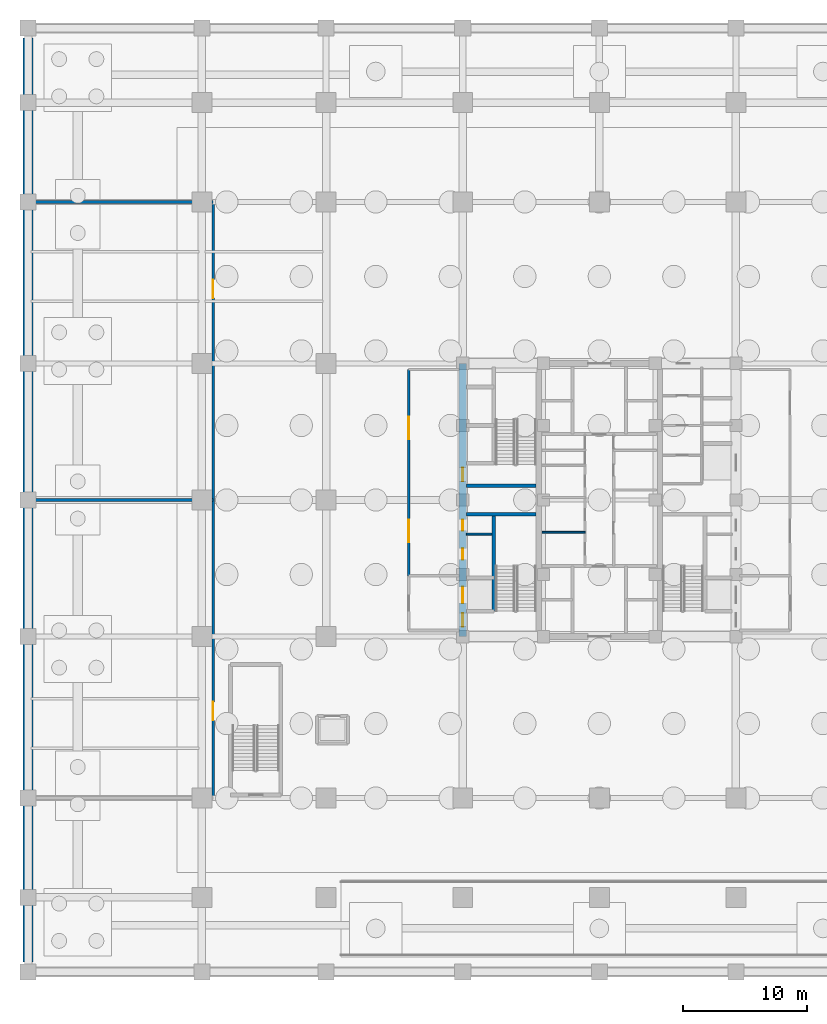
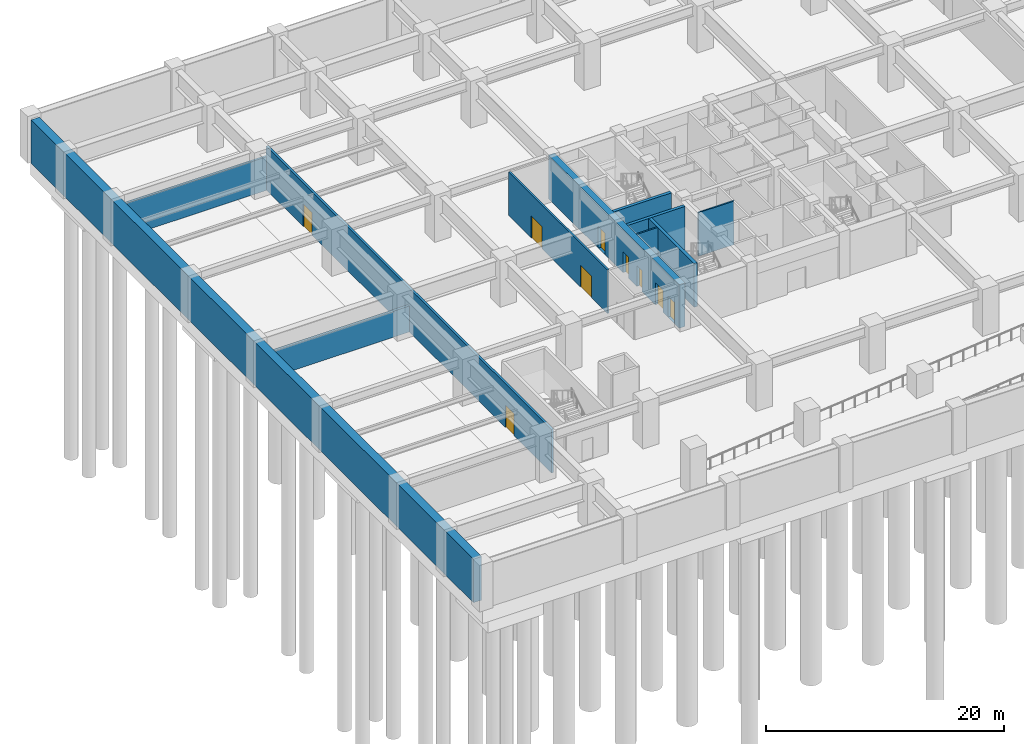
# One storey, part 5 of 13: 11 walls, 9 doors, 9 openings.
"""IFC4 building model written with IfcOpenShell, lengths in metres."""

import ifcopenshell
import ifcopenshell.guid

model = None  # the IFC model being written
_history = None  # IfcOwnerHistory: only IFC2X3 demands one
_inside = {}  # id of a spatial element -> (the spatial element, [elements in it])
_under = {}  # id of a project, library or spatial element -> (it, [spatial elements below it])
_declared = {}  # id of a project -> (the project, [libraries it declares])
_typed = {}  # id of a type object -> (the type object, [elements of that type])
_made_of = {}  # id of a material, layer set ... -> (it, [elements and type objects made of it])


def new_model(schema):
    """Start an empty IFC model of exactly this schema.

    Asked for "IFC4X3", IfcOpenShell would pick the latest addendum, in which some entities
    have other attributes; the version numbers below select the first issue.
    IFC2X3 requires an IfcOwnerHistory on every rooted entity: one is made here for all.
    """
    global model, _history
    if schema == "IFC4X3":
        model = ifcopenshell.file(schema_version=(4, 3, 0, 0))
    else:
        model = ifcopenshell.file(schema=schema)
    _inside.clear()
    _under.clear()
    _declared.clear()
    _typed.clear()
    _made_of.clear()
    _history = None
    if model.schema == "IFC2X3":
        org = make("IfcOrganization", Name="unknown")
        user = make(
            "IfcPersonAndOrganization",
            ThePerson=make("IfcPerson", FamilyName="unknown"),
            TheOrganization=org,
        )
        app = make(
            "IfcApplication",
            ApplicationDeveloper=org,
            Version="unknown",
            ApplicationFullName="unknown",
            ApplicationIdentifier="unknown",
        )
        _history = make(
            "IfcOwnerHistory",
            OwningUser=user,
            OwningApplication=app,
            ChangeAction="ADDED",
            CreationDate=0,
        )
    return model


def make(cls, **values):
    """One entity of the class cls with the attributes given. An attribute that is None is left unset."""
    return model.create_entity(
        cls, **{name: value for name, value in values.items() if value is not None}
    )


def rooted(cls, **values):
    """An entity with a GlobalId (a new one), such as an element, a storey or a relation."""
    return make(cls, GlobalId=ifcopenshell.guid.new(), OwnerHistory=_history, **values)


def si_unit(unit_type, name, prefix=None):
    """IfcSIUnit, for example si_unit("LENGTHUNIT", "METRE", prefix="MILLI")."""
    return make("IfcSIUnit", UnitType=unit_type, Prefix=prefix, Name=name)


def assignment(units):
    """IfcUnitAssignment: the units of a project."""
    return None if units is None else make("IfcUnitAssignment", Units=units)


def point(xyz):
    """IfcCartesianPoint."""
    return None if xyz is None else make("IfcCartesianPoint", Coordinates=xyz)


def direction(xyz):
    """IfcDirection."""
    return None if xyz is None else make("IfcDirection", DirectionRatios=xyz)


def frame(location, z_axis=None, x_axis=None):
    """IfcAxis2Placement3D, a coordinate frame: its origin and axes. An axis left out is left unset."""
    return make(
        "IfcAxis2Placement3D",
        Location=point(location),
        Axis=direction(z_axis),
        RefDirection=direction(x_axis),
    )


def frame_2d(location, x_axis=None):
    """IfcAxis2Placement2D, a coordinate frame in the plane: its origin and x axis."""
    return make(
        "IfcAxis2Placement2D", Location=point(location), RefDirection=direction(x_axis)
    )


def origin():
    """The frame at (0, 0, 0) with its axes left unset."""
    return frame((0.0, 0.0, 0.0))


def place(relative_to, where):
    """IfcLocalPlacement: puts the frame where relative to a parent placement (None: the world)."""
    return make(
        "IfcLocalPlacement", PlacementRelTo=relative_to, RelativePlacement=where
    )


def context(
    kind, dimensions, precision=None, world=None, true_north=None, identifier=None
):
    """IfcGeometricRepresentationContext, for example the 3D "Model" context."""
    return make(
        "IfcGeometricRepresentationContext",
        ContextIdentifier=identifier,
        ContextType=kind,
        CoordinateSpaceDimension=dimensions,
        Precision=precision,
        WorldCoordinateSystem=world,
        TrueNorth=true_north,
    )


def subcontext(parent, identifier, kind, view, scale=None):
    """IfcGeometricRepresentationSubContext, for example "Body" below "Model"."""
    return make(
        "IfcGeometricRepresentationSubContext",
        ContextIdentifier=identifier,
        ContextType=kind,
        ParentContext=parent,
        TargetScale=scale,
        TargetView=view,
    )


def project(units=None, contexts=None):
    """IfcProject with its units and contexts."""
    return rooted(
        "IfcProject",
        Name="project",
        RepresentationContexts=contexts,
        UnitsInContext=assignment(units),
    )


def spatial(cls, under=None, at=None, **own):
    """A site, building, storey or space (cls), placed at a placement, below another one or the project."""
    s = rooted(cls, ObjectPlacement=at, **own)
    if under is not None:
        _under.setdefault(under.id(), (under, []))[1].append(s)
    return s


def profile(cls, at=None, kind="AREA", **sizes):
    """A parametric profile (cls). Its sizes go by their IFC names, for example OverallWidth=200.0."""
    return make(cls, ProfileType=kind, Position=at, **sizes)


def rectangle(**sizes):
    """IfcRectangleProfileDef."""
    return profile("IfcRectangleProfileDef", **sizes)


def extrude(swept, where, along, depth):
    """IfcExtrudedAreaSolid: the profile swept, set in the frame where, extruded along a direction by depth."""
    return make(
        "IfcExtrudedAreaSolid",
        SweptArea=swept,
        Position=where,
        ExtrudedDirection=direction(along),
        Depth=depth,
    )


def shape(context_of_items, identifier, shape_type, items):
    """IfcShapeRepresentation: the items that make up one representation, for example the "Body"."""
    return make(
        "IfcShapeRepresentation",
        ContextOfItems=context_of_items,
        RepresentationIdentifier=identifier,
        RepresentationType=shape_type,
        Items=items,
    )


def source(mapping_origin, context_of_items, identifier, shape_type, items):
    """IfcRepresentationMap: a shape defined once, which mapped items show again and again."""
    return make(
        "IfcRepresentationMap",
        MappingOrigin=mapping_origin,
        MappedRepresentation=shape(context_of_items, identifier, shape_type, items),
    )


def transform(
    local_origin,
    x_axis=None,
    y_axis=None,
    z_axis=None,
    scale=None,
    scale2=None,
    scale3=None,
    uniform=True,
):
    """IfcCartesianTransformationOperator3D, or its non-uniform kind. x_axis, y_axis, z_axis: its Axis1, 2, 3."""
    if uniform:
        return make(
            "IfcCartesianTransformationOperator3D",
            Axis1=direction(x_axis),
            Axis2=direction(y_axis),
            LocalOrigin=point(local_origin),
            Scale=scale,
            Axis3=direction(z_axis),
        )
    return make(
        "IfcCartesianTransformationOperator3DnonUniform",
        Axis1=direction(x_axis),
        Axis2=direction(y_axis),
        LocalOrigin=point(local_origin),
        Scale=scale,
        Axis3=direction(z_axis),
        Scale2=scale2,
        Scale3=scale3,
    )


def mapped(mapping_source, mapping_target):
    """IfcMappedItem: shows the shape of a source again, moved by a transform."""
    return make(
        "IfcMappedItem", MappingSource=mapping_source, MappingTarget=mapping_target
    )


def material(Name=None, Category=None):
    """IfcMaterial."""
    return make("IfcMaterial", Name=Name, Category=Category)


def layer(
    of_material, thickness, ventilated=None, Name=None, Category=None, Priority=None
):
    """IfcMaterialLayer: one layer of a wall or slab, of a material (None: an air gap)."""
    return make(
        "IfcMaterialLayer",
        Material=of_material,
        LayerThickness=thickness,
        IsVentilated=ventilated,
        Name=Name,
        Category=Category,
        Priority=Priority,
    )


def layer_set(layers, Name=None):
    """IfcMaterialLayerSet."""
    return make("IfcMaterialLayerSet", MaterialLayers=layers, LayerSetName=Name)


def made_of(thing, what):
    """Note that an element or type object is made of a material, layer set ...; save() writes the relation."""
    if what is not None:
        _made_of.setdefault(what.id(), (what, []))[1].append(thing)
    return thing


def type_object(cls, material=None, **own):
    """A type object (cls), such as IfcWallType, which elements share."""
    return made_of(rooted(cls, **own), material)


def element(
    cls,
    number,
    at=None,
    inside=None,
    cuts=None,
    type_object=None,
    material=None,
    context=None,
    identifier="Body",
    shape_type=None,
    held_by="IfcProductDefinitionShape",
    body=None,
    shapes=None,
    **own,
):
    """One element of the class cls, such as IfcWall. Its Tag is "e" and its number.

    at: its placement. inside: the storey or other place that contains it. cuts: it is an
    opening in that element (IfcRelVoidsElement). A single representation is given by context,
    identifier, shape_type and body (its items); several are given by shapes. held_by: the class
    of the entity that holds the representations. save() writes the other relations.
    """
    e = rooted(cls, Tag="e%d" % number, ObjectPlacement=at, **own)
    if body is not None:
        shapes = [shape(context, identifier, shape_type, body)]
    if shapes is not None:
        e.Representation = make(held_by, Representations=shapes)
    if inside is not None:
        _inside.setdefault(inside.id(), (inside, []))[1].append(e)
    if cuts is not None:
        rooted(
            "IfcRelVoidsElement", RelatingBuildingElement=cuts, RelatedOpeningElement=e
        )
    if type_object is not None:
        _typed.setdefault(type_object.id(), (type_object, []))[1].append(e)
    return made_of(e, material)


def fill(opening, filler):
    """IfcRelFillsElement: the door or window that sits in an opening."""
    return rooted(
        "IfcRelFillsElement",
        RelatingOpeningElement=opening,
        RelatedBuildingElement=filler,
    )


def aggregate(whole, parts):
    """IfcRelAggregates: a whole, such as a stair, and the parts it consists of."""
    return rooted("IfcRelAggregates", RelatingObject=whole, RelatedObjects=parts)


def save(model, path):
    """Write the relations noted so far, then the file.

    IfcRelAggregates (storeys below a building ...), IfcRelContainedInSpatialStructure (elements
    in a storey), IfcRelDefinesByType, IfcRelAssociatesMaterial and IfcRelDeclares: one each for
    every whole, place, type object, material and project.
    """
    for whole, parts in _under.values():
        aggregate(whole, parts)
    for where, things in _inside.values():
        rooted(
            "IfcRelContainedInSpatialStructure",
            RelatedElements=things,
            RelatingStructure=where,
        )
    for kind, things in _typed.values():
        rooted("IfcRelDefinesByType", RelatedObjects=things, RelatingType=kind)
    for what, things in _made_of.values():
        rooted("IfcRelAssociatesMaterial", RelatedObjects=things, RelatingMaterial=what)
    for by, libraries in _declared.values():
        rooted("IfcRelDeclares", RelatingContext=by, RelatedDefinitions=libraries)
    model.write(path)


model = new_model("IFC4")

# Units and contexts
model_context = context("Model", 3, precision=1e-05, world=origin(), true_north=direction((0.0, 1.0)))
body_context = subcontext(model_context, "Body", "Model", "MODEL_VIEW")
ifc_project = project(units=[si_unit("LENGTHUNIT", "METRE"), si_unit("AREAUNIT", "SQUARE_METRE"), si_unit("VOLUMEUNIT", "CUBIC_METRE"), si_unit("PLANEANGLEUNIT", "RADIAN"), si_unit("MASSUNIT", "GRAM", prefix="KILO")], contexts=[model_context])

# Site, building, storey
site_placement = place(None, origin())
site = spatial("IfcSite", under=ifc_project, at=site_placement, CompositionType="ELEMENT")
building_placement = place(site_placement, origin())
building = spatial("IfcBuilding", under=site, at=building_placement, Name="Khorayat Bourse Tower", CompositionType="ELEMENT")
storey_placement = place(building_placement, frame((0.0, 0.0, -9.60009765625)))
storey = spatial("IfcBuildingStorey", under=building, at=storey_placement, Name="B02", CompositionType="ELEMENT", Elevation=-9.60009765625)

# Wall
ifc_material_1 = material(Name="Concrete C50/60", Category="concrete")
ifc_layer_1 = layer(ifc_material_1, 0.800048828125)
ifc_layer_set_1 = layer_set([ifc_layer_1], Name="Concrete C50/60")
wall_type_1 = type_object("IfcWallType", Name="WAL-RET-800", PredefinedType="USERDEFINED", material=ifc_layer_set_1)
shared_shape_1 = source(origin(), body_context, "Body", "SweptSolid", [
    extrude(rectangle(XDim=74.39990234375, YDim=0.800048828125, at=frame_2d((37.199951171875, 0.0))), origin(), (0.0, 0.0, 1.0), 4.47998046875),
])
wall_1_placement = place(storey_placement, frame((-46.0, -37.199951171875, 0.0), z_axis=(0.0, 0.0, 1.0), x_axis=(0.0, 1.0, 0.0)))
element("IfcWall", 1, at=wall_1_placement, inside=storey, type_object=wall_type_1, Name="B02 Perimeter Retaining Wall W", ObjectType="RETAINING WALL", PredefinedType="USERDEFINED", context=body_context, shape_type="MappedRepresentation", body=[
    mapped(shared_shape_1, transform((0.0, 0.0, 0.0), scale=1.0)),
])

# Wall, openings, doors
ifc_material_2 = material(Name="Concrete C60/75", Category="concrete")
ifc_layer_2 = layer(ifc_material_2, 0.60009765625)
ifc_layer_set_2 = layer_set([ifc_layer_2], Name="Concrete C60/75")
wall_type_2 = type_object("IfcWallType", Name="WAL-CORE-600", PredefinedType="SHEAR", material=ifc_layer_set_2)
shared_shape_2 = source(origin(), body_context, "Body", "SweptSolid", [
    extrude(rectangle(XDim=22.0, YDim=0.60009765625, at=frame_2d((11.0, 0.0))), origin(), (0.0, 0.0, 1.0), 4.47998046875),
])
wall_2_placement = place(storey_placement, frame((-11.0, -11.0, 0.0), z_axis=(0.0, 0.0, 1.0), x_axis=(0.0, 1.0, 0.0)))
wall_2 = element("IfcWall", 2, at=wall_2_placement, inside=storey, type_object=wall_type_2, Name="B02 Core Shear Wall CORE-W", PredefinedType="SHEAR", context=body_context, shape_type="MappedRepresentation", body=[
    mapped(shared_shape_2, transform((0.0, 0.0, 0.0), scale=1.0)),
])
shared_shape_3 = source(origin(), body_context, "Body", "SweptSolid", [
    extrude(rectangle(XDim=1.10009765625, YDim=2.199951171875, at=frame_2d((0.550048828125, 1.10009765625))), frame((0.0, 0.31005859375, 0.0), z_axis=(0.0, -1.0, 0.0), x_axis=(1.0, 0.0, 0.0)), (0.0, 0.0, 1.0), 0.6201171875),
])
opening_1_placement = place(wall_2_placement, frame((0.800048828125, 0.0, 0.0)))
opening_1 = element("IfcOpeningElement", 3, at=opening_1_placement, cuts=wall_2, Name="Opening DI-01", PredefinedType="OPENING", context=body_context, shape_type="MappedRepresentation", body=[
    mapped(shared_shape_3, transform((0.0, 0.0, 0.0), scale=1.0)),
])
opening_2_placement = place(wall_2_placement, frame((12.5, 0.0, 0.0)))
opening_2 = element("IfcOpeningElement", 4, at=opening_2_placement, cuts=wall_2, Name="Opening DI-01", PredefinedType="OPENING", context=body_context, shape_type="MappedRepresentation", body=[
    mapped(shared_shape_3, transform((0.0, 0.0, 0.0), scale=1.0)),
])
shared_shape_4 = source(origin(), body_context, "Body", "SweptSolid", [
    extrude(rectangle(XDim=0.89990234375, YDim=2.14990234375, at=frame_2d((0.449951171875, 1.074951171875))), frame((0.0, 0.31005859375, 0.0), z_axis=(0.0, -1.0, 0.0), x_axis=(1.0, 0.0, 0.0)), (0.0, 0.0, 1.0), 0.6201171875),
])
opening_3_placement = place(wall_2_placement, frame((6.199951171875, 0.0, 0.0)))
opening_3 = element("IfcOpeningElement", 5, at=opening_3_placement, cuts=wall_2, Name="Opening DI-06", PredefinedType="OPENING", context=body_context, shape_type="MappedRepresentation", body=[
    mapped(shared_shape_4, transform((0.0, 0.0, 0.0), scale=1.0)),
])
opening_4_placement = place(wall_2_placement, frame((8.52490234375, 0.0, 0.0)))
opening_4 = element("IfcOpeningElement", 6, at=opening_4_placement, cuts=wall_2, Name="Opening DI-06", PredefinedType="OPENING", context=body_context, shape_type="MappedRepresentation", body=[
    mapped(shared_shape_4, transform((0.0, 0.0, 0.0), scale=1.0)),
])
shared_shape_5 = source(origin(), body_context, "Body", "SweptSolid", [
    extrude(rectangle(XDim=1.300048828125, YDim=2.300048828125, at=frame_2d((0.64990234375, 1.14990234375))), frame((0.0, 0.31005859375, 0.0), z_axis=(0.0, -1.0, 0.0), x_axis=(1.0, 0.0, 0.0)), (0.0, 0.0, 1.0), 0.6201171875),
])
opening_5_placement = place(wall_2_placement, frame((2.699951171875, 0.0, 0.0)))
opening_5 = element("IfcOpeningElement", 7, at=opening_5_placement, cuts=wall_2, Name="Opening LD-02", PredefinedType="OPENING", context=body_context, shape_type="MappedRepresentation", body=[
    mapped(shared_shape_5, transform((0.0, 0.0, 0.0), scale=1.0)),
])
ifc_material_3 = material(Name="Fire-rated steel acoustic leaf", Category="steel")
door_type_1 = type_object("IfcDoorType", Name="DR-INT-STAIR-1100", OperationType="NOTDEFINED", PredefinedType="DOOR", material=ifc_material_3)
shared_shape_6 = source(origin(), body_context, "Body", "SweptSolid", [
    extrude(rectangle(XDim=1.10009765625, YDim=2.199951171875, at=frame_2d((0.550048828125, 1.10009765625))), frame((0.0, 0.02490234375, 0.0), z_axis=(0.0, -1.0, 0.0), x_axis=(1.0, 0.0, 0.0)), (0.0, 0.0, 1.0), 0.050048828125),
])
door_1_placement = place(opening_1_placement, origin())
door_1 = element("IfcDoor", 8, at=door_1_placement, inside=storey, type_object=door_type_1, Name="B02 Exit Stair 1 Door", OperationType="SINGLE_SWING_RIGHT", OverallHeight=2.199951171875, OverallWidth=1.10009765625, PredefinedType="DOOR", context=body_context, shape_type="MappedRepresentation", body=[
    mapped(shared_shape_6, transform((0.0, 0.0, 0.0), scale=1.0)),
])
fill(opening_1, door_1)
door_2_placement = place(opening_2_placement, origin())
door_2 = element("IfcDoor", 9, at=door_2_placement, inside=storey, type_object=door_type_1, Name="B02 Exit Stair 2 Door", OperationType="SINGLE_SWING_RIGHT", OverallHeight=2.199951171875, OverallWidth=1.10009765625, PredefinedType="DOOR", context=body_context, shape_type="MappedRepresentation", body=[
    mapped(shared_shape_6, transform((0.0, 0.0, 0.0), scale=1.0)),
])
fill(opening_2, door_2)
ifc_material_4 = material(Name="Moisture-resistant laminate washroom door")
door_type_2 = type_object("IfcDoorType", Name="DR-INT-WC-900", OperationType="NOTDEFINED", PredefinedType="DOOR", material=ifc_material_4)
shared_shape_7 = source(origin(), body_context, "Body", "SweptSolid", [
    extrude(rectangle(XDim=0.89990234375, YDim=2.14990234375, at=frame_2d((0.449951171875, 1.074951171875))), frame((0.0, 0.02490234375, 0.0), z_axis=(0.0, -1.0, 0.0), x_axis=(1.0, 0.0, 0.0)), (0.0, 0.0, 1.0), 0.050048828125),
])
door_3_placement = place(opening_3_placement, origin())
door_3 = element("IfcDoor", 10, at=door_3_placement, inside=storey, type_object=door_type_2, Name="B02 Switch Closet Door", OperationType="SINGLE_SWING_RIGHT", OverallHeight=2.14990234375, OverallWidth=0.89990234375, PredefinedType="DOOR", context=body_context, shape_type="MappedRepresentation", body=[
    mapped(shared_shape_7, transform((0.0, 0.0, 0.0), scale=1.0)),
])
fill(opening_3, door_3)
door_4_placement = place(opening_4_placement, origin())
door_4 = element("IfcDoor", 11, at=door_4_placement, inside=storey, type_object=door_type_2, Name="B02 Janitor Store Door", OperationType="SINGLE_SWING_LEFT", OverallHeight=2.14990234375, OverallWidth=0.89990234375, PredefinedType="DOOR", context=body_context, shape_type="MappedRepresentation", body=[
    mapped(shared_shape_7, transform((0.0, 0.0, 0.0), scale=1.0)),
])
fill(opening_4, door_4)
ifc_material_5 = material(Name="Fire-rated stainless-steel sliding landing door", Category="steel")
door_type_3 = type_object("IfcDoorType", Name="DR-LIFT-FF-1300", OperationType="NOTDEFINED", PredefinedType="DOOR", material=ifc_material_5)
shared_shape_8 = source(origin(), body_context, "Body", "SweptSolid", [
    extrude(rectangle(XDim=1.300048828125, YDim=2.300048828125, at=frame_2d((0.64990234375, 1.14990234375))), frame((0.0, 0.02490234375, 0.0), z_axis=(0.0, -1.0, 0.0), x_axis=(1.0, 0.0, 0.0)), (0.0, 0.0, 1.0), 0.050048828125),
])
door_5_placement = place(opening_5_placement, origin())
door_5 = element("IfcDoor", 12, at=door_5_placement, inside=storey, type_object=door_type_3, Name="B02 Lift FFL-01 Sliding Landing Door", OperationType="SLIDING_TO_LEFT", OverallHeight=2.300048828125, OverallWidth=1.300048828125, PredefinedType="DOOR", context=body_context, shape_type="MappedRepresentation", body=[
    mapped(shared_shape_8, transform((0.0, 0.0, 0.0), scale=1.0)),
])
fill(opening_5, door_5)

# Walls
ifc_layer_3 = layer(ifc_material_1, 0.300048828125)
ifc_layer_set_3 = layer_set([ifc_layer_3], Name="Concrete C50/60")
wall_type_3 = type_object("IfcWallType", Name="WAL-SHAFT-300", PredefinedType="SHEAR", material=ifc_layer_set_3)
shared_shape_9 = source(origin(), body_context, "Body", "SweptSolid", [
    extrude(rectangle(XDim=5.599853515625, YDim=0.300048828125, at=frame_2d((2.7998046875, 0.0))), origin(), (0.0, 0.0, 1.0), 4.47998046875),
])
for number, where, z_axis, x_axis, name in (
    (13, (-10.699951171875, -1.14990234375, 0.0), (0.0, 0.0, 1.0), (1.0, 0.0, 0.0), "B02 Core Shear Wall ST1-DIV"),
    (14, (-10.699951171875, 1.14990234375, 0.0), (0.0, 0.0, 1.0), (1.0, 0.0, 0.0), "B02 Core Shear Wall ST2-DIV"),
):
    element("IfcWall", number, at=place(storey_placement, frame(where, z_axis=z_axis, x_axis=x_axis)), inside=storey, type_object=wall_type_3, Name=name, PredefinedType="SHEAR", context=body_context, shape_type="MappedRepresentation", body=[
        mapped(shared_shape_9, transform((0.0, 0.0, 0.0), scale=1.0)),
    ])
shared_shape_10 = source(origin(), body_context, "Body", "SweptSolid", [
    extrude(rectangle(XDim=7.800048828125, YDim=0.300048828125, at=frame_2d((3.89990234375, 0.0))), origin(), (0.0, 0.0, 1.0), 4.47998046875),
])
wall_3_placement = place(storey_placement, frame((-8.5, -8.949951171875, 0.0), z_axis=(0.0, 0.0, 1.0), x_axis=(0.0, 1.0, 0.0)))
element("IfcWall", 15, at=wall_3_placement, inside=storey, type_object=wall_type_3, Name="B02 Partition WAL-B02-WPIER-SP", PredefinedType="SHEAR", context=body_context, shape_type="MappedRepresentation", body=[
    mapped(shared_shape_10, transform((0.0, 0.0, 0.0), scale=1.0)),
])
ifc_material_6 = material(Name="Gypsum plasterboard twin-frame partition")
ifc_layer_4 = layer(ifc_material_6, 0.14990234375)
ifc_layer_set_4 = layer_set([ifc_layer_4], Name="Gypsum plasterboard twin-frame partition")
wall_type_4 = type_object("IfcWallType", Name="WAL-PART-SUITE-150", PredefinedType="PARTITIONING", material=ifc_layer_set_4)
shared_shape_11 = source(origin(), body_context, "Body", "SweptSolid", [
    extrude(rectangle(XDim=2.050048828125, YDim=0.14990234375, at=frame_2d((1.02490234375, 0.0))), origin(), (0.0, 0.0, 1.0), 4.47998046875),
])
wall_4_placement = place(storey_placement, frame((-10.699951171875, -2.75, 0.0), z_axis=(0.0, 0.0, 1.0), x_axis=(1.0, 0.0, 0.0)))
element("IfcWall", 16, at=wall_4_placement, inside=storey, type_object=wall_type_4, Name="B02 Partition WAL-B02-WSRV-D1", PredefinedType="PARTITIONING", context=body_context, shape_type="MappedRepresentation", body=[
    mapped(shared_shape_11, transform((0.0, 0.0, 0.0), scale=1.0)),
])

# Wall, openings, doors
ifc_material_7 = material(Name="Gypsum plasterboard acoustic stud wall")
ifc_layer_5 = layer(ifc_material_7, 0.179931640625)
ifc_layer_set_5 = layer_set([ifc_layer_5], Name="Gypsum plasterboard acoustic stud wall")
wall_type_5 = type_object("IfcWallType", Name="WAL-PART-CORR-180", PredefinedType="PARTITIONING", material=ifc_layer_set_5)
shared_shape_12 = source(origin(), body_context, "Body", "SweptSolid", [
    extrude(rectangle(XDim=16.60009765625, YDim=0.179931640625, at=frame_2d((8.300048828125, 0.0))), origin(), (0.0, 0.0, 1.0), 4.47998046875),
])
wall_5_placement = place(storey_placement, frame((-15.35009765625, -6.10009765625, 0.0), z_axis=(0.0, 0.0, 1.0), x_axis=(0.0, 1.0, 0.0)))
wall_5 = element("IfcWall", 17, at=wall_5_placement, inside=storey, type_object=wall_type_5, Name="B02 Partition WAL-B02-WLOB-W", PredefinedType="PARTITIONING", context=body_context, shape_type="MappedRepresentation", body=[
    mapped(shared_shape_12, transform((0.0, 0.0, 0.0), scale=1.0)),
])
shared_shape_13 = source(origin(), body_context, "Body", "SweptSolid", [
    extrude(rectangle(XDim=1.800048828125, YDim=2.25, at=frame_2d((0.89990234375, 1.125))), frame((0.0, 0.099853515625, 0.0), z_axis=(0.0, -1.0, 0.0), x_axis=(1.0, 0.0, 0.0)), (0.0, 0.0, 1.0), 0.199951171875),
])
opening_6_placement = place(wall_5_placement, frame((2.699951171875, 0.0, 0.0)))
opening_6 = element("IfcOpeningElement", 18, at=opening_6_placement, cuts=wall_5, Name="Opening DI-03", PredefinedType="OPENING", context=body_context, shape_type="MappedRepresentation", body=[
    mapped(shared_shape_13, transform((0.0, 0.0, 0.0), scale=1.0)),
])
opening_7_placement = place(wall_5_placement, frame((11.0, 0.0, 0.0)))
opening_7 = element("IfcOpeningElement", 19, at=opening_7_placement, cuts=wall_5, Name="Opening DI-03", PredefinedType="OPENING", context=body_context, shape_type="MappedRepresentation", body=[
    mapped(shared_shape_13, transform((0.0, 0.0, 0.0), scale=1.0)),
])
ifc_material_8 = material(Name="Fire-rated hardwood vision-panel double leaf", Category="wood")
door_type_4 = type_object("IfcDoorType", Name="DR-INT-CORR-1800", OperationType="NOTDEFINED", PredefinedType="DOOR", material=ifc_material_8)
shared_shape_14 = source(origin(), body_context, "Body", "SweptSolid", [
    extrude(rectangle(XDim=1.800048828125, YDim=2.25, at=frame_2d((0.89990234375, 1.125))), frame((0.0, 0.02490234375, 0.0), z_axis=(0.0, -1.0, 0.0), x_axis=(1.0, 0.0, 0.0)), (0.0, 0.0, 1.0), 0.050048828125),
])
door_6_placement = place(opening_6_placement, origin())
door_6 = element("IfcDoor", 20, at=door_6_placement, inside=storey, type_object=door_type_4, Name="B02 West Core Lobby South Door", OperationType="SINGLE_SWING_LEFT", OverallHeight=2.25, OverallWidth=1.800048828125, PredefinedType="DOOR", context=body_context, shape_type="MappedRepresentation", body=[
    mapped(shared_shape_14, transform((0.0, 0.0, 0.0), scale=1.0)),
])
fill(opening_6, door_6)
door_7_placement = place(opening_7_placement, origin())
door_7 = element("IfcDoor", 21, at=door_7_placement, inside=storey, type_object=door_type_4, Name="B02 West Core Lobby North Door", OperationType="SINGLE_SWING_RIGHT", OverallHeight=2.25, OverallWidth=1.800048828125, PredefinedType="DOOR", context=body_context, shape_type="MappedRepresentation", body=[
    mapped(shared_shape_14, transform((0.0, 0.0, 0.0), scale=1.0)),
])
fill(opening_7, door_7)

# Walls
ifc_material_9 = material(Name="Moisture-resistant masonry partition", Category="masonry")
ifc_layer_6 = layer(ifc_material_9, 0.139892578125)
ifc_layer_set_6 = layer_set([ifc_layer_6], Name="Moisture-resistant masonry partition")
wall_type_6 = type_object("IfcWallType", Name="WAL-PART-WET-140", PredefinedType="PARTITIONING", material=ifc_layer_set_6)
shared_shape_15 = source(origin(), body_context, "Body", "SweptSolid", [
    extrude(rectangle(XDim=3.4501953125, YDim=0.139892578125, at=frame_2d((1.72509765625, 0.0))), origin(), (0.0, 0.0, 1.0), 4.47998046875),
])
wall_6_placement = place(storey_placement, frame((-4.60009765625, -2.60009765625, 0.0), z_axis=(0.0, 0.0, 1.0), x_axis=(1.0, 0.0, 0.0)))
element("IfcWall", 22, at=wall_6_placement, inside=storey, type_object=wall_type_6, Name="B02 Partition WAL-B02-CMW-D1", PredefinedType="PARTITIONING", context=body_context, shape_type="MappedRepresentation", body=[
    mapped(shared_shape_15, transform((0.0, 0.0, 0.0), scale=1.0)),
])
ifc_material_10 = material(Name="Aerated concrete blockwork", Category="masonry")
ifc_layer_7 = layer(ifc_material_10, 0.219970703125)
ifc_layer_set_7 = layer_set([ifc_layer_7], Name="Aerated concrete blockwork")
wall_type_7 = type_object("IfcWallType", Name="WAL-PART-FF-220", PredefinedType="PARTITIONING", material=ifc_layer_set_7)
shared_shape_16 = source(origin(), body_context, "Body", "SweptSolid", [
    extrude(rectangle(XDim=14.699951171875, YDim=0.219970703125, at=frame_2d((7.35009765625, 0.0))), origin(), (0.0, 0.0, 1.0), 2.68017578125),
])
wall_7_placement = place(storey_placement, frame((-45.800048828125, 0.0, 0.0), z_axis=(0.0, 0.0, 1.0), x_axis=(1.0, 0.0, 0.0)))
element("IfcWall", 23, at=wall_7_placement, inside=storey, type_object=wall_type_7, Name="B02 Partition WAL-B02-BW-DIV-1", PredefinedType="PARTITIONING", context=body_context, shape_type="MappedRepresentation", body=[
    mapped(shared_shape_16, transform((0.0, 0.0, 0.0), scale=1.0)),
])

# Wall, openings, doors
shared_shape_17 = source(origin(), body_context, "Body", "SweptSolid", [
    extrude(rectangle(XDim=48.0, YDim=0.219970703125, at=frame_2d((24.0, 0.0))), origin(), (0.0, 0.0, 1.0), 4.47998046875),
])
wall_8_placement = place(storey_placement, frame((-31.10009765625, -24.0, 0.0), z_axis=(0.0, 0.0, 1.0), x_axis=(0.0, 1.0, 0.0)))
wall_8 = element("IfcWall", 24, at=wall_8_placement, inside=storey, type_object=wall_type_7, Name="B02 Partition WAL-B02-BW-E", PredefinedType="PARTITIONING", context=body_context, shape_type="MappedRepresentation", body=[
    mapped(shared_shape_17, transform((0.0, 0.0, 0.0), scale=1.0)),
])
shared_shape_18 = source(origin(), body_context, "Body", "SweptSolid", [
    extrude(rectangle(XDim=1.5, YDim=2.300048828125, at=frame_2d((0.75, 1.14990234375))), frame((0.0, 0.119873046875, 0.0), z_axis=(0.0, -1.0, 0.0), x_axis=(1.0, 0.0, 0.0)), (0.0, 0.0, 1.0), 0.239990234375),
])
opening_8_placement = place(wall_8_placement, frame((6.25, 0.0, 0.0)))
opening_8 = element("IfcOpeningElement", 25, at=opening_8_placement, cuts=wall_8, Name="Opening DI-07", PredefinedType="OPENING", context=body_context, shape_type="MappedRepresentation", body=[
    mapped(shared_shape_18, transform((0.0, 0.0, 0.0), scale=1.0)),
])
opening_9_placement = place(wall_8_placement, frame((40.25, 0.0, 0.0)))
opening_9 = element("IfcOpeningElement", 26, at=opening_9_placement, cuts=wall_8, Name="Opening DI-07", PredefinedType="OPENING", context=body_context, shape_type="MappedRepresentation", body=[
    mapped(shared_shape_18, transform((0.0, 0.0, 0.0), scale=1.0)),
])
ifc_material_11 = material(Name="Louvred fire-rated steel plant double door", Category="steel")
door_type_5 = type_object("IfcDoorType", Name="DR-INT-PLANT-1500", OperationType="NOTDEFINED", PredefinedType="DOOR", material=ifc_material_11)
shared_shape_19 = source(origin(), body_context, "Body", "SweptSolid", [
    extrude(rectangle(XDim=1.5, YDim=2.300048828125, at=frame_2d((0.75, 1.14990234375))), frame((0.0, 0.02490234375, 0.0), z_axis=(0.0, -1.0, 0.0), x_axis=(1.0, 0.0, 0.0)), (0.0, 0.0, 1.0), 0.050048828125),
])
door_8_placement = place(opening_8_placement, origin())
door_8 = element("IfcDoor", 27, at=door_8_placement, inside=storey, type_object=door_type_5, Name="B02 Bullion Clearing Vault Store Door", OperationType="SINGLE_SWING_RIGHT", OverallHeight=2.300048828125, OverallWidth=1.5, PredefinedType="DOOR", context=body_context, shape_type="MappedRepresentation", body=[
    mapped(shared_shape_19, transform((0.0, 0.0, 0.0), scale=1.0)),
])
fill(opening_8, door_8)
door_9_placement = place(opening_9_placement, origin())
door_9 = element("IfcDoor", 28, at=door_9_placement, inside=storey, type_object=door_type_5, Name="B02 Fire Sprinkler and Booster Pump Plant Room Door", OperationType="SINGLE_SWING_LEFT", OverallHeight=2.300048828125, OverallWidth=1.5, PredefinedType="DOOR", context=body_context, shape_type="MappedRepresentation", body=[
    mapped(shared_shape_19, transform((0.0, 0.0, 0.0), scale=1.0)),
])
fill(opening_9, door_9)

# Wall
shared_shape_20 = source(origin(), body_context, "Body", "SweptSolid", [
    extrude(rectangle(XDim=14.699951171875, YDim=0.219970703125, at=frame_2d((7.35009765625, 0.0))), origin(), (0.0, 0.0, 1.0), 3.444091796875),
])
wall_9_placement = place(storey_placement, frame((-45.800048828125, 24.0, 0.0), z_axis=(0.0, 0.0, 1.0), x_axis=(1.0, 0.0, 0.0)))
element("IfcWall", 29, at=wall_9_placement, inside=storey, type_object=wall_type_7, Name="B02 Partition WAL-B02-BW-N", PredefinedType="PARTITIONING", context=body_context, shape_type="MappedRepresentation", body=[
    mapped(shared_shape_20, transform((0.0, 0.0, 0.0), scale=1.0)),
])

save(model, "model.ifc")
